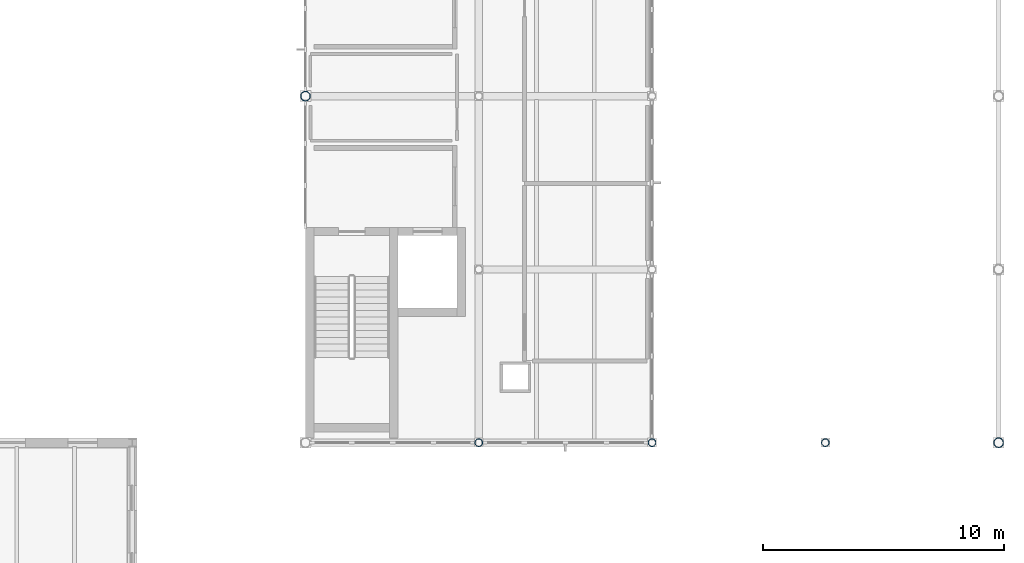
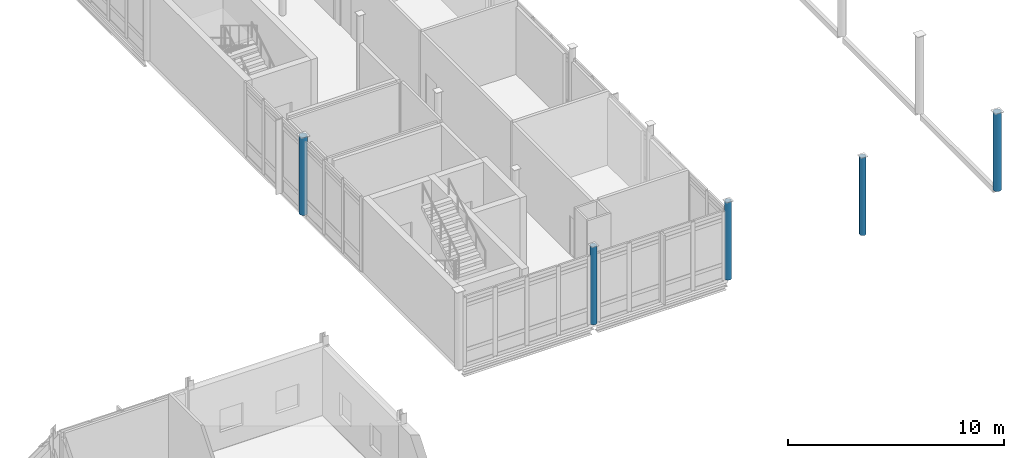
# One storey, part 5 of 76: 5 columns.
"""IFC4 building model written with IfcOpenShell, lengths in metres."""

from ifc_helpers import new_model, si_unit, direction, frame, origin, origin_2d, place, context, subcontext, project, spatial, hollow_circle, extrude, material, material_profile, profile_set, type_object, element, save


model = new_model("IFC4")

# Units and contexts
model_context = context("Model", 3, precision=1e-05, world=origin(), true_north=direction((0.0, 1.0)))
body_context = subcontext(model_context, "Body", "Model", "MODEL_VIEW")
ifc_project = project(units=[si_unit("LENGTHUNIT", "METRE"), si_unit("AREAUNIT", "SQUARE_METRE"), si_unit("VOLUMEUNIT", "CUBIC_METRE"), si_unit("PLANEANGLEUNIT", "RADIAN"), si_unit("MASSUNIT", "GRAM", prefix="KILO")], contexts=[model_context])

# Site, building, storey
site_placement = place(None, origin())
site = spatial("IfcSite", under=ifc_project, at=site_placement, CompositionType="ELEMENT")
building_placement = place(site_placement, origin())
building = spatial("IfcBuilding", under=site, at=building_placement, Name="Zarrinpeak Specialist Clinic", CompositionType="ELEMENT")
storey_placement = place(building_placement, frame((0.0, 0.0, 5.199951171875)))
storey = spatial("IfcBuildingStorey", under=building, at=storey_placement, Name="L01", CompositionType="ELEMENT", Elevation=5.199951171875)

# Columns
ifc_material = material(Name="Steel S355", Category="steel")
ifc_material_profile_1 = material_profile(ifc_material, hollow_circle(Radius=0.161865234375, WallThickness=0.012451171875, at=origin_2d()), Name="CHS 323.9x12.5")
ifc_profile_set_1 = profile_set([ifc_material_profile_1], Name="Steel S355")
column_type_1 = type_object("IfcColumnType", Name="COL-CHS324", PredefinedType="COLUMN", material=ifc_profile_set_1)
for number, where, z_axis, x_axis, name in (
    (1, (100.800048828125, 28.800048828125, 0.0), (0.0, 0.0, 1.0), (1.0, 0.0, 0.0), "L01 Structural Column COL-L01-143"),
    (2, (108.0, 28.800048828125, 0.0), (0.0, 0.0, 1.0), (1.0, 0.0, 0.0), "L01 Structural Column COL-L01-150"),
    (3, (115.199951171875, 28.800048828125, 0.0), (0.0, 0.0, 1.0), (1.0, 0.0, 0.0), "L01 Structural Column COL-L01-157"),
):
    element("IfcColumn", number, at=place(storey_placement, frame(where, z_axis=z_axis, x_axis=x_axis)), inside=storey, type_object=column_type_1, Name=name, PredefinedType="COLUMN", context=body_context, shape_type="SweptSolid", body=[
        extrude(hollow_circle(Radius=0.161865234375, WallThickness=0.012451171875, at=origin_2d()), origin(), (0.0, 0.0, 1.0), 4.400146484375),
    ])
ifc_material_profile_2 = material_profile(ifc_material, hollow_circle(Radius=0.203125, WallThickness=0.01611328125, at=origin_2d()), Name="CHS 406.4x16.0")
ifc_profile_set_2 = profile_set([ifc_material_profile_2], Name="Steel S355")
column_type_2 = type_object("IfcColumnType", Name="COL-CHS406", PredefinedType="COLUMN", material=ifc_profile_set_2)
for number, where, z_axis, x_axis, name in (
    (4, (93.60009765625, 43.199951171875, 0.0), (0.0, 0.0, 1.0), (1.0, 0.0, 0.0), "L01 Structural Column COL-L01-139"),
    (5, (122.39990234375, 28.800048828125, 0.0), (0.0, 0.0, 1.0), (1.0, 0.0, 0.0), "L01 Structural Column COL-L01-159"),
):
    element("IfcColumn", number, at=place(storey_placement, frame(where, z_axis=z_axis, x_axis=x_axis)), inside=storey, type_object=column_type_2, Name=name, PredefinedType="COLUMN", context=body_context, shape_type="SweptSolid", body=[
        extrude(hollow_circle(Radius=0.203125, WallThickness=0.01611328125, at=origin_2d()), origin(), (0.0, 0.0, 1.0), 4.400146484375),
    ])

save(model, "model.ifc")
